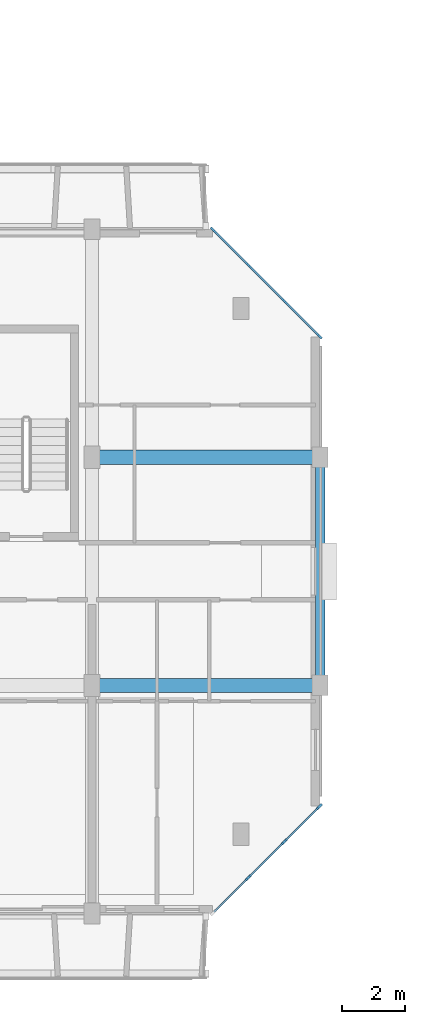
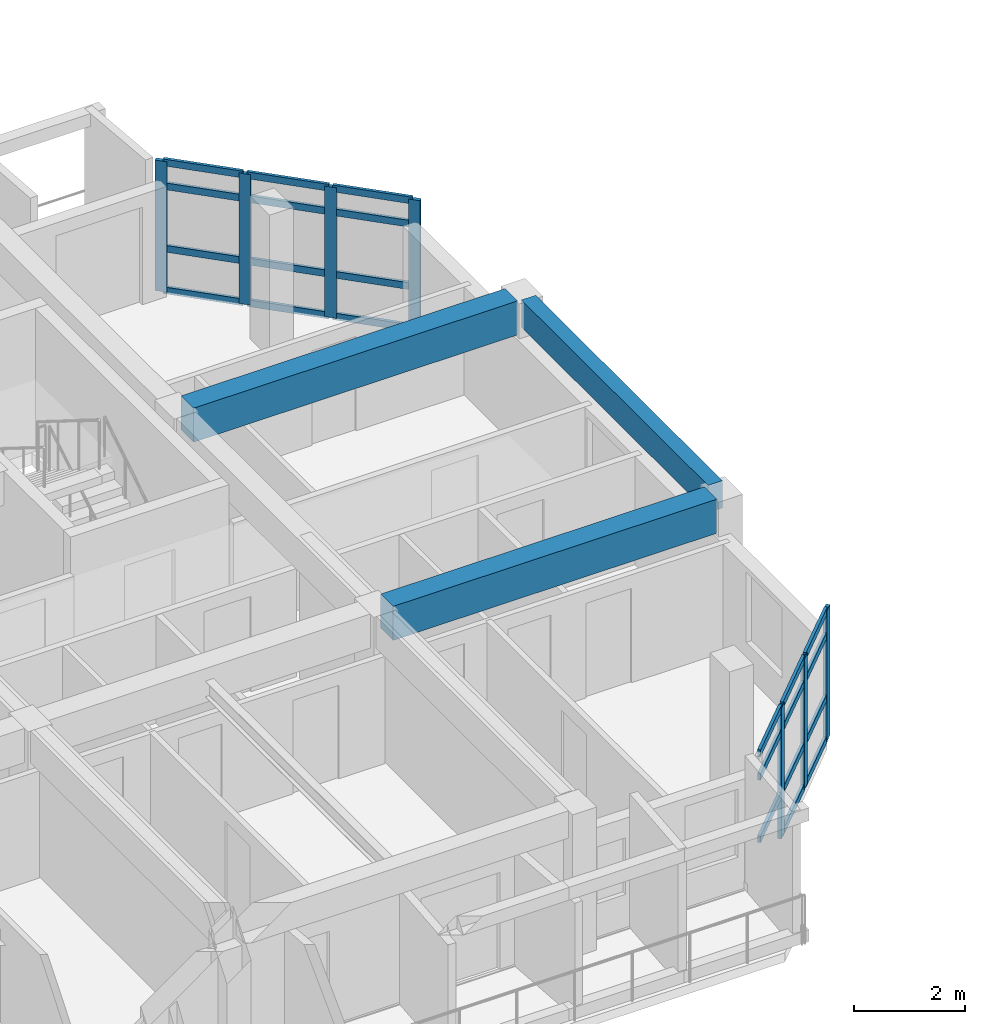
# One storey, part 3 of 51: 30 members, 3 beams, 2 elements without a shape of their own.
"""IFC4 building model written with IfcOpenShell, lengths in metres."""

from ifc_helpers import new_model, si_unit, direction, frame, origin, origin_2d, place, context, subcontext, project, spatial, rectangle, extrude, material, layer, layer_set, material_profile, profile_set, type_object, element, aggregate, save


model = new_model("IFC4")

# Units and contexts
model_context = context("Model", 3, precision=1e-05, world=origin(), true_north=direction((0.0, 1.0)))
body_context = subcontext(model_context, "Body", "Model", "MODEL_VIEW")
ifc_project = project(units=[si_unit("LENGTHUNIT", "METRE"), si_unit("AREAUNIT", "SQUARE_METRE"), si_unit("VOLUMEUNIT", "CUBIC_METRE"), si_unit("PLANEANGLEUNIT", "RADIAN"), si_unit("MASSUNIT", "GRAM", prefix="KILO")], contexts=[model_context])

# Site, building, storey
site_placement = place(None, origin())
site = spatial("IfcSite", under=ifc_project, at=site_placement, CompositionType="ELEMENT")
building_placement = place(site_placement, origin())
building = spatial("IfcBuilding", under=site, at=building_placement, Name="Ochrevale Crest", CompositionType="ELEMENT")
storey_placement = place(building_placement, frame((0.0, 0.0, 11.85009765625)))
storey = spatial("IfcBuildingStorey", under=building, at=storey_placement, Name="L03", CompositionType="ELEMENT", Elevation=11.85009765625)

# Beams
ifc_material_1 = material(Name="Concrete C50/60", Category="concrete")
ifc_material_profile_1 = material_profile(ifc_material_1, rectangle(XDim=0.449951171875, YDim=0.75, at=origin_2d()), Name="RC 450x750")
ifc_profile_set_1 = profile_set([ifc_material_profile_1], Name="Concrete C50/60")
beam_type_1 = type_object("IfcBeamType", Name="BM-PG450x750", PredefinedType="USERDEFINED", material=ifc_profile_set_1)
for number, where, z_axis, x_axis, name in (
    (1, (29.02490234375, 21.60009765625, 2.77490234375), (1.0, 0.0, 0.0), (0.0, 1.0, 0.0), "Block A L03 E-W beam Y=21.6"),
    (2, (29.02490234375, 28.800048828125, 2.77490234375), (1.0, 0.0, 0.0), (0.0, 1.0, 0.0), "Block A L03 E-W beam Y=28.8"),
):
    element("IfcBeam", number, at=place(storey_placement, frame(where, z_axis=z_axis, x_axis=x_axis)), inside=storey, type_object=beam_type_1, Name=name, ObjectType="GIRDER", PredefinedType="USERDEFINED", context=body_context, shape_type="SweptSolid", body=[
        extrude(rectangle(XDim=0.449951171875, YDim=0.75, at=origin_2d()), origin(), (0.0, 0.0, 1.0), 6.75),
    ])
ifc_material_2 = material(Name="Precast concrete C40/50", Category="concrete")
ifc_material_profile_2 = material_profile(ifc_material_2, rectangle(XDim=0.300048828125, YDim=0.60009765625, at=origin_2d()), Name="PC 300x600")
ifc_profile_set_2 = profile_set([ifc_material_profile_2], Name="Precast concrete C40/50")
beam_type_2 = type_object("IfcBeamType", Name="BM-SP300x600", PredefinedType="SPANDREL", material=ifc_profile_set_2)
beam_placement = place(storey_placement, frame((36.0, 21.830078125, 2.849853515625), z_axis=(0.0, 1.0, 0.0), x_axis=(-1.0, 0.0, 0.0)))
element("IfcBeam", 3, at=beam_placement, inside=storey, type_object=beam_type_2, Name="Block A L03 N-S beam X=36.0", PredefinedType="SPANDREL", context=body_context, shape_type="SweptSolid", body=[
    extrude(rectangle(XDim=0.300048828125, YDim=0.60009765625, at=origin_2d()), origin(), (0.0, 0.0, 1.0), 6.739990234375),
])

# Curtain wall, members
ifc_material_3 = material(Name="Anodised aluminium 6063-T5", Category="aluminium")
ifc_layer_1 = layer(ifc_material_3, 0.14990234375)
ifc_layer_set_1 = layer_set([ifc_layer_1], Name="Anodised aluminium 6063-T5")
curtain_wall_type_1 = type_object("IfcCurtainWallType", Name="CW-WG-240x285", PredefinedType="NOTDEFINED", material=ifc_layer_set_1)
curtain_wall_1_placement = place(storey_placement, origin())
curtain_wall_1 = element("IfcCurtainWall", 4, at=curtain_wall_1_placement, inside=storey, type_object=curtain_wall_type_1, Name="Block A L03 chamfered corner wintergarden curtain wall 2", PredefinedType="NOTDEFINED")
ifc_material_profile_3 = material_profile(ifc_material_3, rectangle(XDim=0.074951171875, YDim=0.219970703125, at=origin_2d()), Name="ALU 75x220")
ifc_profile_set_3 = profile_set([ifc_material_profile_3], Name="Anodised aluminium 6063-T5")
member_type_1 = type_object("IfcMemberType", Name="CW-MUL-75x220", PredefinedType="MULLION", material=ifc_profile_set_3)
member_1_placement = place(storey_placement, frame((33.7333984375, 15.533447265625, 0.0), z_axis=(0.0, 0.0, 1.0), x_axis=(-0.707106781187, 0.707106781187, 0.0)))
member_1 = element("IfcMember", 5, at=member_1_placement, type_object=member_type_1, Name="CW15 mullion 2", PredefinedType="MULLION", context=body_context, shape_type="SweptSolid", body=[
    extrude(rectangle(XDim=0.074951171875, YDim=0.219970703125, at=origin_2d()), origin(), (0.0, 0.0, 1.0), 2.875),
])
member_2_placement = place(storey_placement, frame((34.86669921875, 16.666748046875, 0.0), z_axis=(0.0, 0.0, 1.0), x_axis=(-0.707106781187, 0.707106781187, 0.0)))
member_2 = element("IfcMember", 6, at=member_2_placement, type_object=member_type_1, Name="CW15 mullion 3", PredefinedType="MULLION", context=body_context, shape_type="SweptSolid", body=[
    extrude(rectangle(XDim=0.074951171875, YDim=0.219970703125, at=origin_2d()), origin(), (0.0, 0.0, 1.0), 2.875),
])
member_3_placement = place(storey_placement, frame((35.973388671875, 17.7734375, 0.0), z_axis=(0.0, 0.0, 1.0), x_axis=(-0.707106781187, 0.707106781187, 0.0)))
member_3 = element("IfcMember", 7, at=member_3_placement, type_object=member_type_1, Name="CW15 mullion 4", PredefinedType="MULLION", context=body_context, shape_type="SweptSolid", body=[
    extrude(rectangle(XDim=0.074951171875, YDim=0.219970703125, at=origin_2d()), origin(), (0.0, 0.0, 1.0), 2.875),
])

ifc_layer_2 = layer(ifc_material_3, 0.14990234375)
ifc_layer_set_2 = layer_set([ifc_layer_2], Name="Anodised aluminium 6063-T5")
curtain_wall_type_2 = type_object("IfcCurtainWallType", Name="CW-WG-320x285", PredefinedType="NOTDEFINED", material=ifc_layer_set_2)
curtain_wall_2_placement = place(storey_placement, origin())
curtain_wall_2 = element("IfcCurtainWall", 8, at=curtain_wall_2_placement, inside=storey, type_object=curtain_wall_type_2, Name="Block A L03 chamfered corner wintergarden curtain wall 4", PredefinedType="NOTDEFINED")
member_4_placement = place(storey_placement, frame((35.973388671875, 32.62646484375, 0.0), z_axis=(0.0, 0.0, 1.0), x_axis=(-0.707106781187, -0.707106781187, 0.0)))
member_4 = element("IfcMember", 9, at=member_4_placement, type_object=member_type_1, Name="CW17 mullion 1", PredefinedType="MULLION", context=body_context, shape_type="SweptSolid", body=[
    extrude(rectangle(XDim=0.074951171875, YDim=0.219970703125, at=origin_2d()), origin(), (0.0, 0.0, 1.0), 2.875),
])
member_5_placement = place(storey_placement, frame((34.86669921875, 33.7333984375, 0.0), z_axis=(0.0, 0.0, 1.0), x_axis=(-0.707106781187, -0.707106781187, 0.0)))
member_5 = element("IfcMember", 10, at=member_5_placement, type_object=member_type_1, Name="CW17 mullion 2", PredefinedType="MULLION", context=body_context, shape_type="SweptSolid", body=[
    extrude(rectangle(XDim=0.074951171875, YDim=0.219970703125, at=origin_2d()), origin(), (0.0, 0.0, 1.0), 2.875),
])
member_6_placement = place(storey_placement, frame((33.7333984375, 34.86669921875, 0.0), z_axis=(0.0, 0.0, 1.0), x_axis=(-0.707106781187, -0.707106781187, 0.0)))
member_6 = element("IfcMember", 11, at=member_6_placement, type_object=member_type_1, Name="CW17 mullion 3", PredefinedType="MULLION", context=body_context, shape_type="SweptSolid", body=[
    extrude(rectangle(XDim=0.074951171875, YDim=0.219970703125, at=origin_2d()), origin(), (0.0, 0.0, 1.0), 2.875),
])
member_7_placement = place(storey_placement, frame((32.62646484375, 35.973388671875, 0.0), z_axis=(0.0, 0.0, 1.0), x_axis=(-0.707106781187, -0.707106781187, 0.0)))
member_7 = element("IfcMember", 12, at=member_7_placement, type_object=member_type_1, Name="CW17 mullion 4", PredefinedType="MULLION", context=body_context, shape_type="SweptSolid", body=[
    extrude(rectangle(XDim=0.074951171875, YDim=0.219970703125, at=origin_2d()), origin(), (0.0, 0.0, 1.0), 2.875),
])

# Member
ifc_material_profile_4 = material_profile(ifc_material_3, rectangle(XDim=0.06005859375, YDim=0.14990234375, at=origin_2d()), Name="ALU 60x150")
ifc_profile_set_4 = profile_set([ifc_material_profile_4], Name="Anodised aluminium 6063-T5")
member_type_2 = type_object("IfcMemberType", Name="CW-TRN-60x150", PredefinedType="USERDEFINED", material=ifc_profile_set_4)
member_8_placement = place(storey_placement, frame((32.653076171875, 14.453125, 0.949951171875), z_axis=(0.707106781187, 0.707106781187, 0.0), x_axis=(-0.707106781187, 0.707106781187, 0.0)))
member_8 = element("IfcMember", 13, at=member_8_placement, type_object=member_type_2, Name="CW15 transom 1.2", ObjectType="TRANSOM", PredefinedType="USERDEFINED", context=body_context, shape_type="SweptSolid", body=[
    extrude(rectangle(XDim=0.06005859375, YDim=0.14990234375, at=origin_2d()), origin(), (0.0, 0.0, 1.0), 1.490234375),
])

member_9_placement = place(storey_placement, frame((32.653076171875, 14.453125, 2.324951171875), z_axis=(0.707106781187, 0.707106781187, 0.0), x_axis=(-0.707106781187, 0.707106781187, 0.0)))
member_9 = element("IfcMember", 14, at=member_9_placement, type_object=member_type_2, Name="CW15 transom 1.3", ObjectType="TRANSOM", PredefinedType="USERDEFINED", context=body_context, shape_type="SweptSolid", body=[
    extrude(rectangle(XDim=0.06005859375, YDim=0.14990234375, at=origin_2d()), origin(), (0.0, 0.0, 1.0), 1.490234375),
])

member_10_placement = place(storey_placement, frame((32.653076171875, 14.453125, 2.844970703125), z_axis=(0.707106781187, 0.707106781187, 0.0), x_axis=(-0.707106781187, 0.707106781187, 0.0)))
member_10 = element("IfcMember", 15, at=member_10_placement, type_object=member_type_2, Name="CW15 transom 1.4", ObjectType="TRANSOM", PredefinedType="USERDEFINED", context=body_context, shape_type="SweptSolid", body=[
    extrude(rectangle(XDim=0.06005859375, YDim=0.14990234375, at=origin_2d()), origin(), (0.0, 0.0, 1.0), 1.490234375),
])

member_11_placement = place(storey_placement, frame((33.759765625, 15.559814453125, 0.02978515625), z_axis=(0.707106781187, 0.707106781187, 0.0), x_axis=(-0.707106781187, 0.707106781187, 0.0)))
member_11 = element("IfcMember", 16, at=member_11_placement, type_object=member_type_2, Name="CW15 transom 2.1", ObjectType="TRANSOM", PredefinedType="USERDEFINED", context=body_context, shape_type="SweptSolid", body=[
    extrude(rectangle(XDim=0.06005859375, YDim=0.14990234375, at=origin_2d()), origin(), (0.0, 0.0, 1.0), 1.52783203125),
])

member_12_placement = place(storey_placement, frame((33.759765625, 15.559814453125, 0.949951171875), z_axis=(0.707106781187, 0.707106781187, 0.0), x_axis=(-0.707106781187, 0.707106781187, 0.0)))
member_12 = element("IfcMember", 17, at=member_12_placement, type_object=member_type_2, Name="CW15 transom 2.2", ObjectType="TRANSOM", PredefinedType="USERDEFINED", context=body_context, shape_type="SweptSolid", body=[
    extrude(rectangle(XDim=0.06005859375, YDim=0.14990234375, at=origin_2d()), origin(), (0.0, 0.0, 1.0), 1.52783203125),
])

member_13_placement = place(storey_placement, frame((33.759765625, 15.559814453125, 2.324951171875), z_axis=(0.707106781187, 0.707106781187, 0.0), x_axis=(-0.707106781187, 0.707106781187, 0.0)))
member_13 = element("IfcMember", 18, at=member_13_placement, type_object=member_type_2, Name="CW15 transom 2.3", ObjectType="TRANSOM", PredefinedType="USERDEFINED", context=body_context, shape_type="SweptSolid", body=[
    extrude(rectangle(XDim=0.06005859375, YDim=0.14990234375, at=origin_2d()), origin(), (0.0, 0.0, 1.0), 1.52783203125),
])

member_14_placement = place(storey_placement, frame((33.759765625, 15.559814453125, 2.844970703125), z_axis=(0.707106781187, 0.707106781187, 0.0), x_axis=(-0.707106781187, 0.707106781187, 0.0)))
member_14 = element("IfcMember", 19, at=member_14_placement, type_object=member_type_2, Name="CW15 transom 2.4", ObjectType="TRANSOM", PredefinedType="USERDEFINED", context=body_context, shape_type="SweptSolid", body=[
    extrude(rectangle(XDim=0.06005859375, YDim=0.14990234375, at=origin_2d()), origin(), (0.0, 0.0, 1.0), 1.52783203125),
])

member_15_placement = place(storey_placement, frame((34.89306640625, 16.693115234375, 0.02978515625), z_axis=(0.707106781187, 0.707106781187, 0.0), x_axis=(-0.707106781187, 0.707106781187, 0.0)))
member_15 = element("IfcMember", 20, at=member_15_placement, type_object=member_type_2, Name="CW15 transom 3.1", ObjectType="TRANSOM", PredefinedType="USERDEFINED", context=body_context, shape_type="SweptSolid", body=[
    extrude(rectangle(XDim=0.06005859375, YDim=0.14990234375, at=origin_2d()), origin(), (0.0, 0.0, 1.0), 1.490478515625),
])

member_16_placement = place(storey_placement, frame((34.89306640625, 16.693115234375, 0.949951171875), z_axis=(0.707106781187, 0.707106781187, 0.0), x_axis=(-0.707106781187, 0.707106781187, 0.0)))
member_16 = element("IfcMember", 21, at=member_16_placement, type_object=member_type_2, Name="CW15 transom 3.2", ObjectType="TRANSOM", PredefinedType="USERDEFINED", context=body_context, shape_type="SweptSolid", body=[
    extrude(rectangle(XDim=0.06005859375, YDim=0.14990234375, at=origin_2d()), origin(), (0.0, 0.0, 1.0), 1.490478515625),
])

member_17_placement = place(storey_placement, frame((34.89306640625, 16.693115234375, 2.324951171875), z_axis=(0.707106781187, 0.707106781187, 0.0), x_axis=(-0.707106781187, 0.707106781187, 0.0)))
member_17 = element("IfcMember", 22, at=member_17_placement, type_object=member_type_2, Name="CW15 transom 3.3", ObjectType="TRANSOM", PredefinedType="USERDEFINED", context=body_context, shape_type="SweptSolid", body=[
    extrude(rectangle(XDim=0.06005859375, YDim=0.14990234375, at=origin_2d()), origin(), (0.0, 0.0, 1.0), 1.490478515625),
])

member_18_placement = place(storey_placement, frame((34.89306640625, 16.693115234375, 2.844970703125), z_axis=(0.707106781187, 0.707106781187, 0.0), x_axis=(-0.707106781187, 0.707106781187, 0.0)))
member_18 = element("IfcMember", 23, at=member_18_placement, type_object=member_type_2, Name="CW15 transom 3.4", ObjectType="TRANSOM", PredefinedType="USERDEFINED", context=body_context, shape_type="SweptSolid", body=[
    extrude(rectangle(XDim=0.06005859375, YDim=0.14990234375, at=origin_2d()), origin(), (0.0, 0.0, 1.0), 1.490478515625),
])

aggregate(curtain_wall_1, [member_1, member_2, member_3, member_8, member_9, member_10, member_11, member_12, member_13, member_14, member_15, member_16, member_17, member_18])

member_19_placement = place(storey_placement, frame((35.947021484375, 32.653076171875, 0.02978515625), z_axis=(-0.707188683865, 0.70702486902, 0.0), x_axis=(-0.70702486902, -0.707188683865, 0.0)))
member_19 = element("IfcMember", 24, at=member_19_placement, type_object=member_type_2, Name="CW17 transom 1.1", ObjectType="TRANSOM", PredefinedType="USERDEFINED", context=body_context, shape_type="SweptSolid", body=[
    extrude(rectangle(XDim=0.06005859375, YDim=0.14990234375, at=origin_2d()), origin(), (0.0, 0.0, 1.0), 1.490234375),
])

member_20_placement = place(storey_placement, frame((35.947021484375, 32.653076171875, 0.949951171875), z_axis=(-0.707188683865, 0.70702486902, 0.0), x_axis=(-0.70702486902, -0.707188683865, 0.0)))
member_20 = element("IfcMember", 25, at=member_20_placement, type_object=member_type_2, Name="CW17 transom 1.2", ObjectType="TRANSOM", PredefinedType="USERDEFINED", context=body_context, shape_type="SweptSolid", body=[
    extrude(rectangle(XDim=0.06005859375, YDim=0.14990234375, at=origin_2d()), origin(), (0.0, 0.0, 1.0), 1.490234375),
])

member_21_placement = place(storey_placement, frame((35.947021484375, 32.653076171875, 2.324951171875), z_axis=(-0.707188683865, 0.70702486902, 0.0), x_axis=(-0.70702486902, -0.707188683865, 0.0)))
member_21 = element("IfcMember", 26, at=member_21_placement, type_object=member_type_2, Name="CW17 transom 1.3", ObjectType="TRANSOM", PredefinedType="USERDEFINED", context=body_context, shape_type="SweptSolid", body=[
    extrude(rectangle(XDim=0.06005859375, YDim=0.14990234375, at=origin_2d()), origin(), (0.0, 0.0, 1.0), 1.490234375),
])

member_22_placement = place(storey_placement, frame((35.947021484375, 32.653076171875, 2.844970703125), z_axis=(-0.707188683865, 0.70702486902, 0.0), x_axis=(-0.70702486902, -0.707188683865, 0.0)))
member_22 = element("IfcMember", 27, at=member_22_placement, type_object=member_type_2, Name="CW17 transom 1.4", ObjectType="TRANSOM", PredefinedType="USERDEFINED", context=body_context, shape_type="SweptSolid", body=[
    extrude(rectangle(XDim=0.06005859375, YDim=0.14990234375, at=origin_2d()), origin(), (0.0, 0.0, 1.0), 1.490234375),
])

member_23_placement = place(storey_placement, frame((34.840087890625, 33.759765625, 0.02978515625), z_axis=(-0.707106781187, 0.707106781187, 0.0), x_axis=(-0.707106781187, -0.707106781187, 0.0)))
member_23 = element("IfcMember", 28, at=member_23_placement, type_object=member_type_2, Name="CW17 transom 2.1", ObjectType="TRANSOM", PredefinedType="USERDEFINED", context=body_context, shape_type="SweptSolid", body=[
    extrude(rectangle(XDim=0.06005859375, YDim=0.14990234375, at=origin_2d()), origin(), (0.0, 0.0, 1.0), 1.52783203125),
])

member_24_placement = place(storey_placement, frame((34.840087890625, 33.759765625, 0.949951171875), z_axis=(-0.707106781187, 0.707106781187, 0.0), x_axis=(-0.707106781187, -0.707106781187, 0.0)))
member_24 = element("IfcMember", 29, at=member_24_placement, type_object=member_type_2, Name="CW17 transom 2.2", ObjectType="TRANSOM", PredefinedType="USERDEFINED", context=body_context, shape_type="SweptSolid", body=[
    extrude(rectangle(XDim=0.06005859375, YDim=0.14990234375, at=origin_2d()), origin(), (0.0, 0.0, 1.0), 1.52783203125),
])

member_25_placement = place(storey_placement, frame((34.840087890625, 33.759765625, 2.324951171875), z_axis=(-0.707106781187, 0.707106781187, 0.0), x_axis=(-0.707106781187, -0.707106781187, 0.0)))
member_25 = element("IfcMember", 30, at=member_25_placement, type_object=member_type_2, Name="CW17 transom 2.3", ObjectType="TRANSOM", PredefinedType="USERDEFINED", context=body_context, shape_type="SweptSolid", body=[
    extrude(rectangle(XDim=0.06005859375, YDim=0.14990234375, at=origin_2d()), origin(), (0.0, 0.0, 1.0), 1.52783203125),
])

member_26_placement = place(storey_placement, frame((34.840087890625, 33.759765625, 2.844970703125), z_axis=(-0.707106781187, 0.707106781187, 0.0), x_axis=(-0.707106781187, -0.707106781187, 0.0)))
member_26 = element("IfcMember", 31, at=member_26_placement, type_object=member_type_2, Name="CW17 transom 2.4", ObjectType="TRANSOM", PredefinedType="USERDEFINED", context=body_context, shape_type="SweptSolid", body=[
    extrude(rectangle(XDim=0.06005859375, YDim=0.14990234375, at=origin_2d()), origin(), (0.0, 0.0, 1.0), 1.52783203125),
])

member_27_placement = place(storey_placement, frame((33.706787109375, 34.89306640625, 0.02978515625), z_axis=(-0.70702486902, 0.707188683865, 0.0), x_axis=(-0.707188683865, -0.70702486902, 0.0)))
member_27 = element("IfcMember", 32, at=member_27_placement, type_object=member_type_2, Name="CW17 transom 3.1", ObjectType="TRANSOM", PredefinedType="USERDEFINED", context=body_context, shape_type="SweptSolid", body=[
    extrude(rectangle(XDim=0.06005859375, YDim=0.14990234375, at=origin_2d()), origin(), (0.0, 0.0, 1.0), 1.490234375),
])

member_28_placement = place(storey_placement, frame((33.706787109375, 34.89306640625, 0.949951171875), z_axis=(-0.70702486902, 0.707188683865, 0.0), x_axis=(-0.707188683865, -0.70702486902, 0.0)))
member_28 = element("IfcMember", 33, at=member_28_placement, type_object=member_type_2, Name="CW17 transom 3.2", ObjectType="TRANSOM", PredefinedType="USERDEFINED", context=body_context, shape_type="SweptSolid", body=[
    extrude(rectangle(XDim=0.06005859375, YDim=0.14990234375, at=origin_2d()), origin(), (0.0, 0.0, 1.0), 1.490234375),
])

member_29_placement = place(storey_placement, frame((33.706787109375, 34.89306640625, 2.324951171875), z_axis=(-0.70702486902, 0.707188683865, 0.0), x_axis=(-0.707188683865, -0.70702486902, 0.0)))
member_29 = element("IfcMember", 34, at=member_29_placement, type_object=member_type_2, Name="CW17 transom 3.3", ObjectType="TRANSOM", PredefinedType="USERDEFINED", context=body_context, shape_type="SweptSolid", body=[
    extrude(rectangle(XDim=0.06005859375, YDim=0.14990234375, at=origin_2d()), origin(), (0.0, 0.0, 1.0), 1.490234375),
])

member_30_placement = place(storey_placement, frame((33.706787109375, 34.89306640625, 2.844970703125), z_axis=(-0.70702486902, 0.707188683865, 0.0), x_axis=(-0.707188683865, -0.70702486902, 0.0)))
member_30 = element("IfcMember", 35, at=member_30_placement, type_object=member_type_2, Name="CW17 transom 3.4", ObjectType="TRANSOM", PredefinedType="USERDEFINED", context=body_context, shape_type="SweptSolid", body=[
    extrude(rectangle(XDim=0.06005859375, YDim=0.14990234375, at=origin_2d()), origin(), (0.0, 0.0, 1.0), 1.490234375),
])

aggregate(curtain_wall_2, [member_4, member_5, member_6, member_7, member_19, member_20, member_21, member_22, member_23, member_24, member_25, member_26, member_27, member_28, member_29, member_30])

save(model, "model.ifc")
